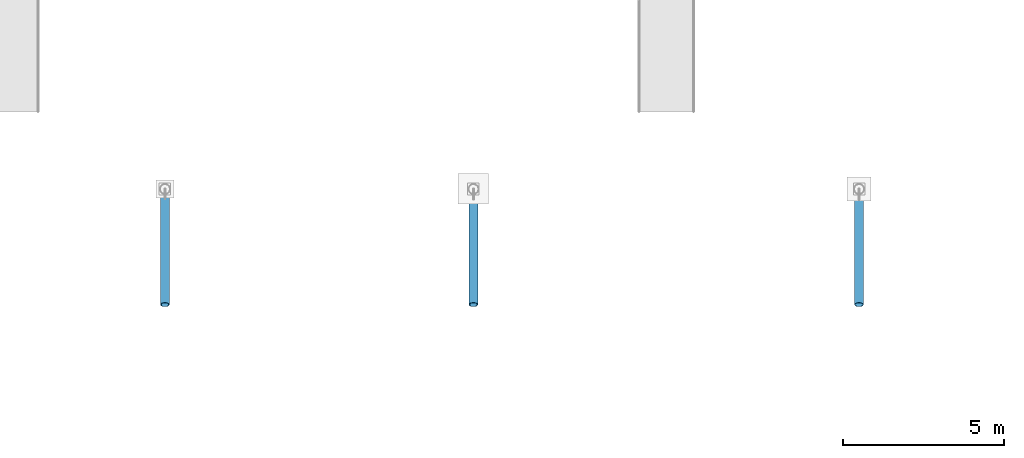
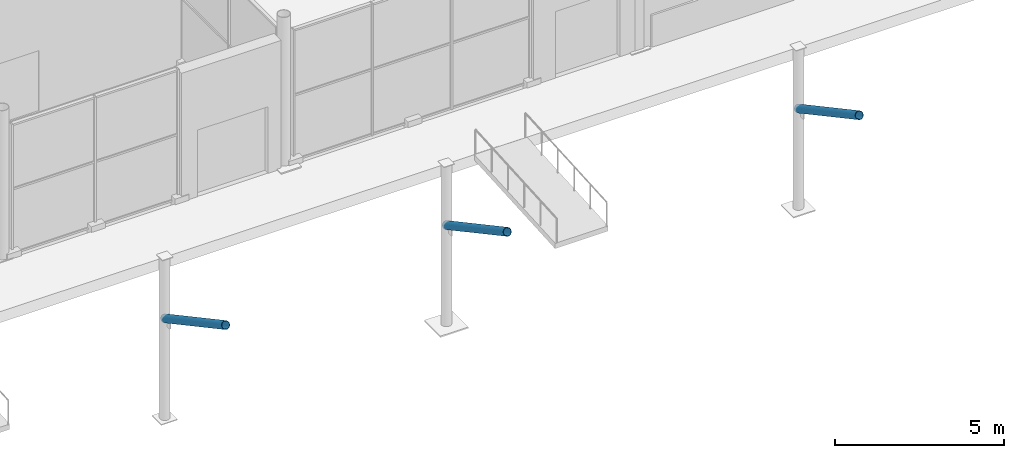
# One storey, part 59 of 196: 3 members.
"""IFC4 building model written with IfcOpenShell, lengths in metres."""

import ifcopenshell
import ifcopenshell.guid

model = None  # the IFC model being written
_history = None  # IfcOwnerHistory: only IFC2X3 demands one
_inside = {}  # id of a spatial element -> (the spatial element, [elements in it])
_under = {}  # id of a project, library or spatial element -> (it, [spatial elements below it])
_declared = {}  # id of a project -> (the project, [libraries it declares])
_typed = {}  # id of a type object -> (the type object, [elements of that type])
_made_of = {}  # id of a material, layer set ... -> (it, [elements and type objects made of it])


def new_model(schema):
    """Start an empty IFC model of exactly this schema.

    Asked for "IFC4X3", IfcOpenShell would pick the latest addendum, in which some entities
    have other attributes; the version numbers below select the first issue.
    IFC2X3 requires an IfcOwnerHistory on every rooted entity: one is made here for all.
    """
    global model, _history
    if schema == "IFC4X3":
        model = ifcopenshell.file(schema_version=(4, 3, 0, 0))
    else:
        model = ifcopenshell.file(schema=schema)
    _inside.clear()
    _under.clear()
    _declared.clear()
    _typed.clear()
    _made_of.clear()
    _history = None
    if model.schema == "IFC2X3":
        org = make("IfcOrganization", Name="unknown")
        user = make(
            "IfcPersonAndOrganization",
            ThePerson=make("IfcPerson", FamilyName="unknown"),
            TheOrganization=org,
        )
        app = make(
            "IfcApplication",
            ApplicationDeveloper=org,
            Version="unknown",
            ApplicationFullName="unknown",
            ApplicationIdentifier="unknown",
        )
        _history = make(
            "IfcOwnerHistory",
            OwningUser=user,
            OwningApplication=app,
            ChangeAction="ADDED",
            CreationDate=0,
        )
    return model


def make(cls, **values):
    """One entity of the class cls with the attributes given. An attribute that is None is left unset."""
    return model.create_entity(
        cls, **{name: value for name, value in values.items() if value is not None}
    )


def rooted(cls, **values):
    """An entity with a GlobalId (a new one), such as an element, a storey or a relation."""
    return make(cls, GlobalId=ifcopenshell.guid.new(), OwnerHistory=_history, **values)


def si_unit(unit_type, name, prefix=None):
    """IfcSIUnit, for example si_unit("LENGTHUNIT", "METRE", prefix="MILLI")."""
    return make("IfcSIUnit", UnitType=unit_type, Prefix=prefix, Name=name)


def assignment(units):
    """IfcUnitAssignment: the units of a project."""
    return None if units is None else make("IfcUnitAssignment", Units=units)


def point(xyz):
    """IfcCartesianPoint."""
    return None if xyz is None else make("IfcCartesianPoint", Coordinates=xyz)


def direction(xyz):
    """IfcDirection."""
    return None if xyz is None else make("IfcDirection", DirectionRatios=xyz)


def frame(location, z_axis=None, x_axis=None):
    """IfcAxis2Placement3D, a coordinate frame: its origin and axes. An axis left out is left unset."""
    return make(
        "IfcAxis2Placement3D",
        Location=point(location),
        Axis=direction(z_axis),
        RefDirection=direction(x_axis),
    )


def frame_2d(location, x_axis=None):
    """IfcAxis2Placement2D, a coordinate frame in the plane: its origin and x axis."""
    return make(
        "IfcAxis2Placement2D", Location=point(location), RefDirection=direction(x_axis)
    )


def origin():
    """The frame at (0, 0, 0) with its axes left unset."""
    return frame((0.0, 0.0, 0.0))


def origin_2d():
    """The frame at (0, 0) in the plane with its x axis left unset."""
    return frame_2d((0.0, 0.0))


def place(relative_to, where):
    """IfcLocalPlacement: puts the frame where relative to a parent placement (None: the world)."""
    return make(
        "IfcLocalPlacement", PlacementRelTo=relative_to, RelativePlacement=where
    )


def context(
    kind, dimensions, precision=None, world=None, true_north=None, identifier=None
):
    """IfcGeometricRepresentationContext, for example the 3D "Model" context."""
    return make(
        "IfcGeometricRepresentationContext",
        ContextIdentifier=identifier,
        ContextType=kind,
        CoordinateSpaceDimension=dimensions,
        Precision=precision,
        WorldCoordinateSystem=world,
        TrueNorth=true_north,
    )


def subcontext(parent, identifier, kind, view, scale=None):
    """IfcGeometricRepresentationSubContext, for example "Body" below "Model"."""
    return make(
        "IfcGeometricRepresentationSubContext",
        ContextIdentifier=identifier,
        ContextType=kind,
        ParentContext=parent,
        TargetScale=scale,
        TargetView=view,
    )


def project(units=None, contexts=None):
    """IfcProject with its units and contexts."""
    return rooted(
        "IfcProject",
        Name="project",
        RepresentationContexts=contexts,
        UnitsInContext=assignment(units),
    )


def spatial(cls, under=None, at=None, **own):
    """A site, building, storey or space (cls), placed at a placement, below another one or the project."""
    s = rooted(cls, ObjectPlacement=at, **own)
    if under is not None:
        _under.setdefault(under.id(), (under, []))[1].append(s)
    return s


def profile(cls, at=None, kind="AREA", **sizes):
    """A parametric profile (cls). Its sizes go by their IFC names, for example OverallWidth=200.0."""
    return make(cls, ProfileType=kind, Position=at, **sizes)


def hollow_circle(**sizes):
    """IfcCircleHollowProfileDef."""
    return profile("IfcCircleHollowProfileDef", **sizes)


def extrude(swept, where, along, depth):
    """IfcExtrudedAreaSolid: the profile swept, set in the frame where, extruded along a direction by depth."""
    return make(
        "IfcExtrudedAreaSolid",
        SweptArea=swept,
        Position=where,
        ExtrudedDirection=direction(along),
        Depth=depth,
    )


def shape(context_of_items, identifier, shape_type, items):
    """IfcShapeRepresentation: the items that make up one representation, for example the "Body"."""
    return make(
        "IfcShapeRepresentation",
        ContextOfItems=context_of_items,
        RepresentationIdentifier=identifier,
        RepresentationType=shape_type,
        Items=items,
    )


def material(Name=None, Category=None):
    """IfcMaterial."""
    return make("IfcMaterial", Name=Name, Category=Category)


def material_profile(
    of_material, cross_section, Name=None, Category=None, Priority=None
):
    """IfcMaterialProfile: a cross section and its material."""
    return make(
        "IfcMaterialProfile",
        Name=Name,
        Material=of_material,
        Profile=cross_section,
        Priority=Priority,
        Category=Category,
    )


def profile_set(profiles, Name=None, composite=None):
    """IfcMaterialProfileSet."""
    return make(
        "IfcMaterialProfileSet",
        Name=Name,
        MaterialProfiles=profiles,
        CompositeProfile=composite,
    )


def made_of(thing, what):
    """Note that an element or type object is made of a material, layer set ...; save() writes the relation."""
    if what is not None:
        _made_of.setdefault(what.id(), (what, []))[1].append(thing)
    return thing


def type_object(cls, material=None, **own):
    """A type object (cls), such as IfcWallType, which elements share."""
    return made_of(rooted(cls, **own), material)


def element(
    cls,
    number,
    at=None,
    inside=None,
    cuts=None,
    type_object=None,
    material=None,
    context=None,
    identifier="Body",
    shape_type=None,
    held_by="IfcProductDefinitionShape",
    body=None,
    shapes=None,
    **own,
):
    """One element of the class cls, such as IfcWall. Its Tag is "e" and its number.

    at: its placement. inside: the storey or other place that contains it. cuts: it is an
    opening in that element (IfcRelVoidsElement). A single representation is given by context,
    identifier, shape_type and body (its items); several are given by shapes. held_by: the class
    of the entity that holds the representations. save() writes the other relations.
    """
    e = rooted(cls, Tag="e%d" % number, ObjectPlacement=at, **own)
    if body is not None:
        shapes = [shape(context, identifier, shape_type, body)]
    if shapes is not None:
        e.Representation = make(held_by, Representations=shapes)
    if inside is not None:
        _inside.setdefault(inside.id(), (inside, []))[1].append(e)
    if cuts is not None:
        rooted(
            "IfcRelVoidsElement", RelatingBuildingElement=cuts, RelatedOpeningElement=e
        )
    if type_object is not None:
        _typed.setdefault(type_object.id(), (type_object, []))[1].append(e)
    return made_of(e, material)


def aggregate(whole, parts):
    """IfcRelAggregates: a whole, such as a stair, and the parts it consists of."""
    return rooted("IfcRelAggregates", RelatingObject=whole, RelatedObjects=parts)


def save(model, path):
    """Write the relations noted so far, then the file.

    IfcRelAggregates (storeys below a building ...), IfcRelContainedInSpatialStructure (elements
    in a storey), IfcRelDefinesByType, IfcRelAssociatesMaterial and IfcRelDeclares: one each for
    every whole, place, type object, material and project.
    """
    for whole, parts in _under.values():
        aggregate(whole, parts)
    for where, things in _inside.values():
        rooted(
            "IfcRelContainedInSpatialStructure",
            RelatedElements=things,
            RelatingStructure=where,
        )
    for kind, things in _typed.values():
        rooted("IfcRelDefinesByType", RelatedObjects=things, RelatingType=kind)
    for what, things in _made_of.values():
        rooted("IfcRelAssociatesMaterial", RelatedObjects=things, RelatingMaterial=what)
    for by, libraries in _declared.values():
        rooted("IfcRelDeclares", RelatingContext=by, RelatedDefinitions=libraries)
    model.write(path)


model = new_model("IFC4")

# Units and contexts
model_context = context("Model", 3, precision=1e-05, world=origin(), true_north=direction((0.0, 1.0)))
body_context = subcontext(model_context, "Body", "Model", "MODEL_VIEW")
ifc_project = project(units=[si_unit("LENGTHUNIT", "METRE"), si_unit("AREAUNIT", "SQUARE_METRE"), si_unit("VOLUMEUNIT", "CUBIC_METRE"), si_unit("PLANEANGLEUNIT", "RADIAN"), si_unit("MASSUNIT", "GRAM", prefix="KILO")], contexts=[model_context])

# Site, building, storey
site_placement = place(None, origin())
site = spatial("IfcSite", under=ifc_project, at=site_placement, CompositionType="ELEMENT")
building_placement = place(site_placement, origin())
building = spatial("IfcBuilding", under=site, at=building_placement, Name="Merenkruunu Market Hall", CompositionType="ELEMENT")
storey_placement = place(building_placement, origin())
storey = spatial("IfcBuildingStorey", under=building, at=storey_placement, Name="L00", CompositionType="ELEMENT", Elevation=0.0)

# Members
ifc_material = material(Name="Steel S355ML", Category="steel")
ifc_material_profile = material_profile(ifc_material, hollow_circle(Radius=0.136474609375, WallThickness=0.012451171875, at=origin_2d()), Name="CHS 273x12.5")
ifc_profile_set = profile_set([ifc_material_profile], Name="Steel S355ML")
member_type = type_object("IfcMemberType", Name="Diagonal Sway Brace BR02", PredefinedType="BRACE", material=ifc_profile_set)
for number, where, z_axis, x_axis, name in (
    (1, (67.199951171875, 6.0, 3.60009765625), (0.0, -0.880325370235, 0.474370364294), (1.0, 0.0, 0.0), "MEM-V6-STRUT-067"),
    (2, (76.800048828125, 6.0, 3.60009765625), (0.0, -0.880325370235, 0.474370364294), (1.0, 0.0, 0.0), "MEM-V6-STRUT-077"),
    (3, (88.800048828125, 6.0, 3.60009765625), (0.0, -0.880325370235, 0.474370364294), (1.0, 0.0, 0.0), "MEM-V6-STRUT-089"),
):
    element("IfcMember", number, at=place(storey_placement, frame(where, z_axis=z_axis, x_axis=x_axis)), inside=storey, type_object=member_type, Name=name, PredefinedType="BRACE", context=body_context, shape_type="SweptSolid", body=[
        extrude(hollow_circle(Radius=0.136474609375, WallThickness=0.012451171875, at=origin_2d()), origin(), (0.0, 0.0, 1.0), 4.089599609375),
    ])

save(model, "model.ifc")
